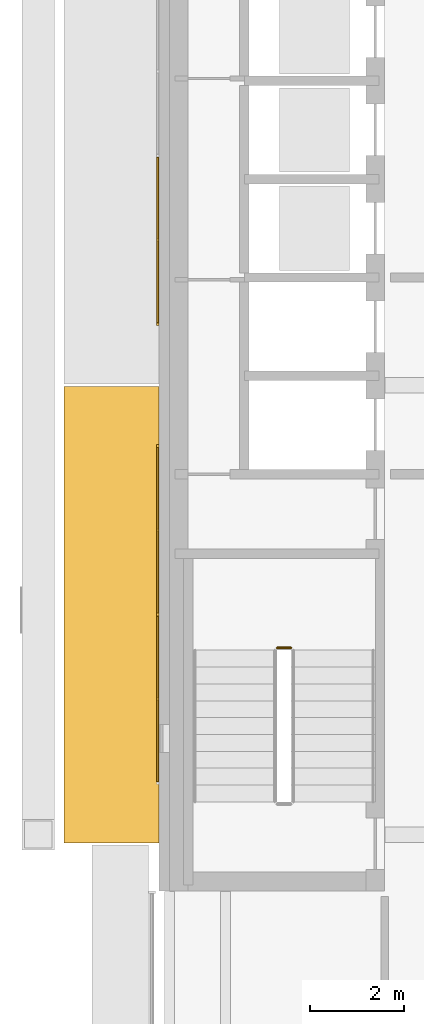
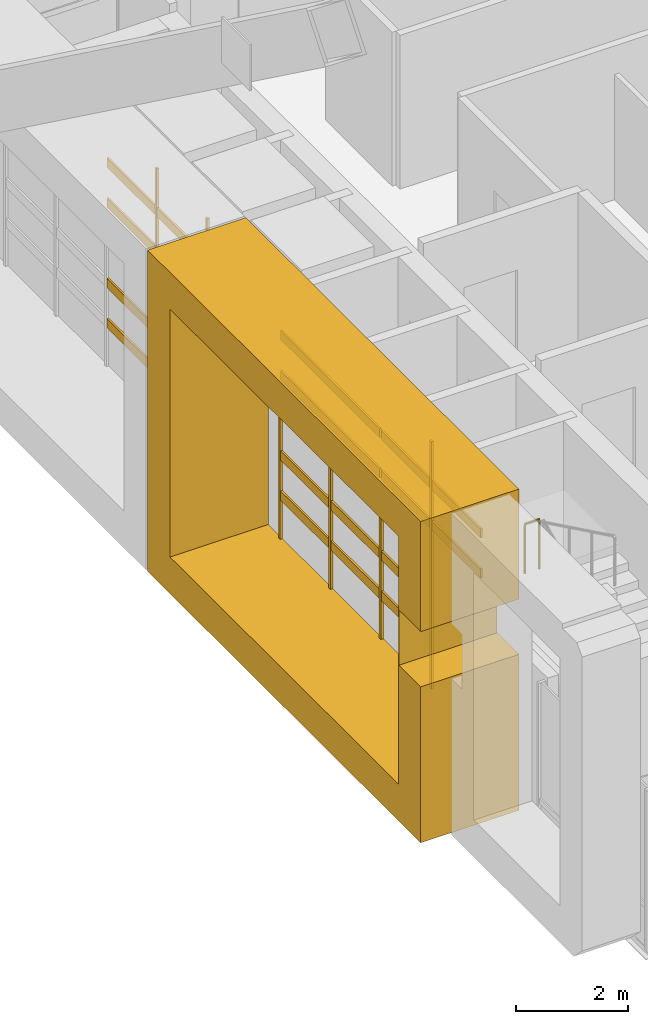
# One storey, part 17 of 23: 19 coverings, 1 railing.
"""IFC4 building model written with IfcOpenShell, lengths in metres."""

from ifc_helpers import new_model, si_unit, direction, frame, origin, origin_2d, place, context, subcontext, project, spatial, polyline, rectangle, circle, outline, extrude, material, type_object, element, save


model = new_model("IFC4")

# Units and contexts
model_context = context("Model", 3, precision=1e-05, world=origin(), true_north=direction((0.0, 1.0)))
body_context = subcontext(model_context, "Body", "Model", "MODEL_VIEW")
ifc_project = project(units=[si_unit("LENGTHUNIT", "METRE"), si_unit("AREAUNIT", "SQUARE_METRE"), si_unit("VOLUMEUNIT", "CUBIC_METRE"), si_unit("PLANEANGLEUNIT", "RADIAN"), si_unit("MASSUNIT", "GRAM", prefix="KILO")], contexts=[model_context])

# Site, building, storey
site_placement = place(None, origin())
site = spatial("IfcSite", under=ifc_project, at=site_placement, CompositionType="ELEMENT")
building_placement = place(site_placement, origin())
building = spatial("IfcBuilding", under=site, at=building_placement, Name="Cobrizo Arcos Hotel Tower", CompositionType="ELEMENT")
storey_placement = place(building_placement, frame((0.0, 0.0, 255.0)))
storey = spatial("IfcBuildingStorey", under=building, at=storey_placement, Name="L67", CompositionType="ELEMENT", Elevation=255.0)

# Coverings
ifc_material_1 = material(Name="Aluminium 6063-T6 anodised bronze", Category="aluminium")
covering_type_1 = type_object("IfcCoveringType", Name="FIN-F 2025", PredefinedType="CLADDING", material=ifc_material_1)
covering_placement = place(storey_placement, frame((-20.625, -0.02490234375, 0.0), z_axis=(-1.0, 0.0, 0.0), x_axis=(0.0, -1.0, 0.0)))
element("IfcCovering", 1, at=covering_placement, inside=storey, type_object=covering_type_1, Name="Fin frame 433", PredefinedType="CLADDING", context=body_context, shape_type="SweptSolid", body=[
    extrude(outline(polyline([(9.75, 0.0), (9.75, 3.39794921875), (8.972900390625, 3.39794921875), (8.972900390625, 4.60205078125), (9.75, 4.60205078125), (9.75, 7.0), (0.0, 7.0), (0.0, 0.0), (9.75, 0.0)]), holes=[polyline([(8.949951171875, 0.800048828125), (0.800048828125, 0.800048828125), (0.800048828125, 6.199951171875), (8.949951171875, 6.199951171875), (8.949951171875, 0.800048828125)])]), origin(), (0.0, 0.0, 1.0), 2.02490234375),
])
ifc_material_2 = material(Name="Aluminium 6063-T6 anodised pale", Category="aluminium")
covering_type_2 = type_object("IfcCoveringType", Name="RS-2 rainscreen rib 60x50", PredefinedType="CLADDING", material=ifc_material_2)
for number, where, z_axis, x_axis, name in (
    (2, (-20.64990234375, 3.10009765625, 0.800048828125), (0.0, 0.0, 1.0), (0.0, -1.0, 0.0), "Rainscreen rib 334"),
    (3, (-20.64990234375, 1.300048828125, 0.800048828125), (0.0, 0.0, 1.0), (0.0, -1.0, 0.0), "Rainscreen rib 335"),
    (4, (-20.64990234375, -1.300048828125, 0.800048828125), (0.0, 0.0, 1.0), (0.0, -1.0, 0.0), "Rainscreen rib 336"),
    (5, (-20.64990234375, -3.10009765625, 0.800048828125), (0.0, 0.0, 1.0), (0.0, -1.0, 0.0), "Rainscreen rib 337"),
    (6, (-20.64990234375, -4.89990234375, 0.800048828125), (0.0, 0.0, 1.0), (0.0, -1.0, 0.0), "Rainscreen rib 338"),
    (7, (-20.64990234375, -6.699951171875, 0.800048828125), (0.0, 0.0, 1.0), (0.0, -1.0, 0.0), "Rainscreen rib 339"),
):
    element("IfcCovering", number, at=place(storey_placement, frame(where, z_axis=z_axis, x_axis=x_axis)), inside=storey, type_object=covering_type_2, Name=name, PredefinedType="CLADDING", context=body_context, shape_type="SweptSolid", body=[
        extrude(rectangle(XDim=0.06005859375, YDim=0.050048828125, at=origin_2d()), origin(), (0.0, 0.0, 1.0), 5.39990234375),
    ])
covering_type_3 = type_object("IfcCoveringType", Name="RS-3 rainscreen louvre slat 200x40", PredefinedType="CLADDING", material=ifc_material_2)
for number, where, z_axis, x_axis, name in (
    (8, (-20.64501953125, 3.10009765625, 1.64990234375), (0.0, 0.0, 1.0), (0.0, -1.0, 0.0), "Rainscreen slat 199"),
    (9, (-20.64501953125, 3.10009765625, 2.52490234375), (0.0, 0.0, 1.0), (0.0, -1.0, 0.0), "Rainscreen slat 200"),
    (10, (-20.64501953125, 3.10009765625, 4.27490234375), (0.0, 0.0, 1.0), (0.0, -1.0, 0.0), "Rainscreen slat 203"),
    (11, (-20.64501953125, 3.10009765625, 5.14990234375), (0.0, 0.0, 1.0), (0.0, -1.0, 0.0), "Rainscreen slat 204"),
    (12, (-20.64501953125, -3.10009765625, 1.64990234375), (0.0, 0.0, 1.0), (0.0, -1.0, 0.0), "Rainscreen slat 205"),
    (13, (-20.64501953125, -3.10009765625, 2.52490234375), (0.0, 0.0, 1.0), (0.0, -1.0, 0.0), "Rainscreen slat 206"),
    (14, (-20.64501953125, -6.699951171875, 1.64990234375), (0.0, 0.0, 1.0), (0.0, -1.0, 0.0), "Rainscreen slat 207"),
    (15, (-20.64501953125, -6.699951171875, 2.52490234375), (0.0, 0.0, 1.0), (0.0, -1.0, 0.0), "Rainscreen slat 208"),
    (16, (-20.64501953125, -3.10009765625, 4.27490234375), (0.0, 0.0, 1.0), (0.0, -1.0, 0.0), "Rainscreen slat 209"),
    (17, (-20.64501953125, -3.10009765625, 5.14990234375), (0.0, 0.0, 1.0), (0.0, -1.0, 0.0), "Rainscreen slat 210"),
    (18, (-20.64501953125, -6.699951171875, 4.27490234375), (0.0, 0.0, 1.0), (0.0, -1.0, 0.0), "Rainscreen slat 211"),
    (19, (-20.64501953125, -6.699951171875, 5.14990234375), (0.0, 0.0, 1.0), (0.0, -1.0, 0.0), "Rainscreen slat 212"),
):
    element("IfcCovering", number, at=place(storey_placement, frame(where, z_axis=z_axis, x_axis=x_axis)), inside=storey, type_object=covering_type_3, Name=name, PredefinedType="CLADDING", context=body_context, shape_type="SweptSolid", body=[
        extrude(rectangle(XDim=3.5400390625, YDim=0.0400390625, at=origin_2d()), origin(), (0.0, 0.0, 1.0), 0.199951171875),
    ])

# Railing
ifc_material_3 = material(Name="Stainless steel railing", Category="steel")
railing_type = type_object("IfcRailingType", Name="Stair guard 1100", PredefinedType="GUARDRAIL", material=ifc_material_3)
railing_placement = place(storey_placement, frame((-17.800048828125, -5.610107421875, 1.75)))
element("IfcRailing", 20, at=railing_placement, inside=storey, type_object=railing_type, Name="L67 ST-W stair guard 2", PredefinedType="GUARDRAIL", context=body_context, shape_type="SweptSolid", body=[
    extrude(circle(Radius=0.02392578125, at=origin_2d()), frame((0.0, 0.0, 1.076171875), z_axis=(-1.0, 0.0, 0.0), x_axis=(0.0, -1.0, 0.0)), (0.0, 0.0, 1.0), 0.300048828125),
    extrude(circle(Radius=0.02099609375, at=origin_2d()), origin(), (0.0, 0.0, 1.0), 1.052001953125),
    extrude(circle(Radius=0.02099609375, at=origin_2d()), frame((-0.300048828125, 0.0, 0.0)), (0.0, 0.0, 1.0), 1.052001953125),
])

save(model, "model.ifc")
